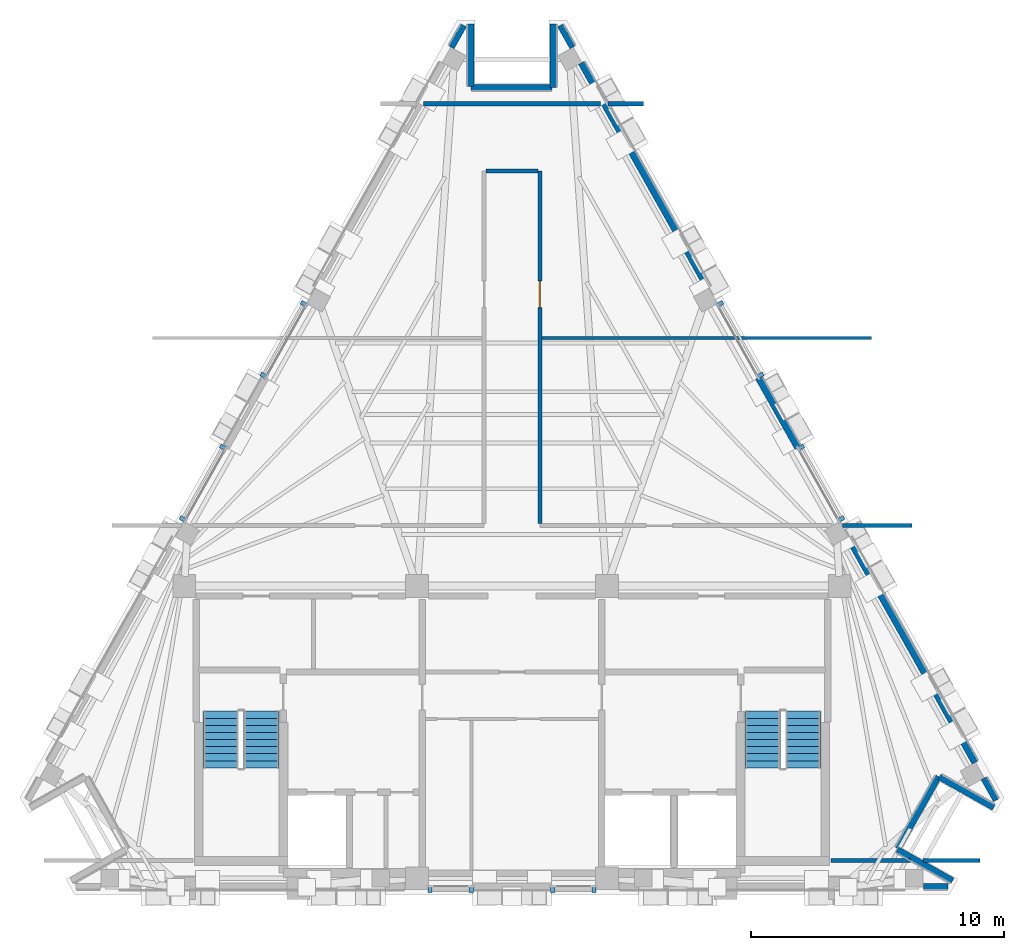
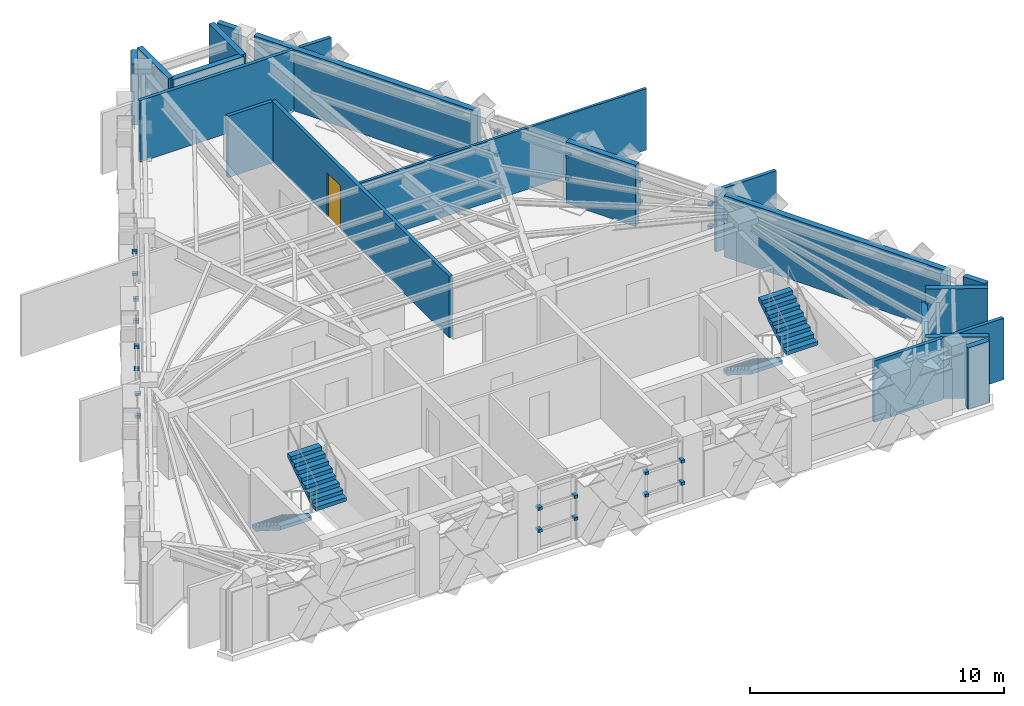
# One storey, part 6 of 8: 24 discrete accessories, 21 walls, 4 stair flights, 1 door, 1 opening, 2 elements without a shape of their own.
"""IFC4 building model written with IfcOpenShell, lengths in metres."""

from ifc_helpers import new_model, si_unit, direction, frame, frame_2d, origin, origin_2d, place, context, subcontext, project, spatial, polyline, rectangle, outline, extrude, material, layer, layer_set, type_object, element, fill, aggregate, save


model = new_model("IFC4")

# Units and contexts
model_context = context("Model", 3, precision=1e-05, world=origin(), true_north=direction((0.0, 1.0)))
body_context = subcontext(model_context, "Body", "Model", "MODEL_VIEW")
ifc_project = project(units=[si_unit("LENGTHUNIT", "METRE"), si_unit("AREAUNIT", "SQUARE_METRE"), si_unit("VOLUMEUNIT", "CUBIC_METRE"), si_unit("PLANEANGLEUNIT", "RADIAN"), si_unit("MASSUNIT", "GRAM", prefix="KILO")], contexts=[model_context])

# Site, building, storey
site_placement = place(None, origin())
site = spatial("IfcSite", under=ifc_project, at=site_placement, CompositionType="ELEMENT")
building_placement = place(site_placement, origin())
building = spatial("IfcBuilding", under=site, at=building_placement, Name="Quenlor Broadcast Tower", CompositionType="ELEMENT")
storey_placement = place(building_placement, frame((0.0, 0.0, 283.699951171875)))
storey = spatial("IfcBuildingStorey", under=building, at=storey_placement, Name="L79", CompositionType="ELEMENT", Elevation=283.699951171875)

# Walls
ifc_material_1 = material(Name="Gypsum Fireboard Partition", Category="other")
ifc_layer_1 = layer(ifc_material_1, 0.159912109375)
ifc_layer_set_1 = layer_set([ifc_layer_1], Name="Fire Rated Shaft and Corridor Partition 160")
wall_type_1 = type_object("IfcWallType", Name="Fire Rated Shaft and Corridor Partition 160", PredefinedType="PARTITIONING", material=ifc_layer_set_1)
wall_1_placement = place(storey_placement, frame((-3.49755859375, 14.25, 0.0), z_axis=(0.0, 0.0, 1.0), x_axis=(1.0, 0.0, 0.0)))
element("IfcWall", 1, at=wall_1_placement, inside=storey, type_object=wall_type_1, Name="L79 Interior Wall PW-PL-NTOPS2", PredefinedType="PARTITIONING", context=body_context, shape_type="SweptSolid", body=[
    extrude(rectangle(XDim=6.9951171875, YDim=0.159912109375, at=frame_2d((3.49755859375, 0.0))), origin(), (0.0, 0.0, 1.0), 2.949951171875),
])
wall_2_placement = place(storey_placement, frame((3.80029296875, 14.25, 0.0), z_axis=(0.0, 0.0, 1.0), x_axis=(1.0, 0.0, 0.0)))
element("IfcWall", 2, at=wall_2_placement, inside=storey, type_object=wall_type_1, Name="L79 Interior Wall PW-PL-NTOPS3", PredefinedType="PARTITIONING", context=body_context, shape_type="SweptSolid", body=[
    extrude(rectangle(XDim=1.399658203125, YDim=0.159912109375, at=frame_2d((0.69970703125, 0.0))), origin(), (0.0, 0.0, 1.0), 2.949951171875),
])
wall_3_placement = place(storey_placement, frame((12.60009765625, -15.64990234375, 0.0), z_axis=(0.0, 0.0, 1.0), x_axis=(1.0, 0.0, 0.0)))
element("IfcWall", 3, at=wall_3_placement, inside=storey, type_object=wall_type_1, Name="L79 Interior Wall PW-PL-SBOTE", PredefinedType="PARTITIONING", context=body_context, shape_type="SweptSolid", body=[
    extrude(rectangle(XDim=3.142822265625, YDim=0.159912109375, at=frame_2d((1.5712890625, 0.0))), origin(), (0.0, 0.0, 1.0), 2.949951171875),
])
wall_4_placement = place(storey_placement, frame((16.240478515625, -15.64990234375, 0.0), z_axis=(0.0, 0.0, 1.0), x_axis=(1.0, 0.0, 0.0)))
element("IfcWall", 4, at=wall_4_placement, inside=storey, type_object=wall_type_1, Name="L79 Interior Wall PW-PL-SBOTES2", PredefinedType="PARTITIONING", context=body_context, shape_type="SweptSolid", body=[
    extrude(rectangle(XDim=2.259521484375, YDim=0.159912109375, at=frame_2d((1.1298828125, 0.0))), origin(), (0.0, 0.0, 1.0), 2.949951171875),
])
wall_5_placement = place(storey_placement, frame((13.056884765625, -2.419921875, 0.0), z_axis=(0.0, 0.0, 1.0), x_axis=(1.0, 0.0, 0.0)))
element("IfcWall", 5, at=wall_5_placement, inside=storey, type_object=wall_type_1, Name="L79 Interior Wall PW-PL-HES2", PredefinedType="PARTITIONING", context=body_context, shape_type="SweptSolid", body=[
    extrude(rectangle(XDim=2.7431640625, YDim=0.159912109375, at=frame_2d((1.37158203125, 0.0))), origin(), (0.0, 0.0, 1.0), 2.949951171875),
])

# Wall, opening, door
wall_6_placement = place(storey_placement, frame((1.10009765625, -2.337890625, 0.0), z_axis=(0.0, 0.0, 1.0), x_axis=(0.0, 1.0, 0.0)))
wall_6 = element("IfcWall", 6, at=wall_6_placement, inside=storey, type_object=wall_type_1, Name="L79 Interior Wall PW-PL-SE", PredefinedType="PARTITIONING", context=body_context, shape_type="SweptSolid", body=[
    extrude(rectangle(XDim=13.93798828125, YDim=0.159912109375, at=frame_2d((6.968994140625, 0.0))), origin(), (0.0, 0.0, 1.0), 2.949951171875),
])
opening_placement = place(wall_6_placement, frame((8.5380859375, 0.0, 0.0)))
opening = element("IfcOpeningElement", 7, at=opening_placement, cuts=wall_6, Name="Opening FD-3", PredefinedType="OPENING", context=body_context, shape_type="SweptSolid", body=[
    extrude(rectangle(XDim=1.050048828125, YDim=2.1201171875, at=frame_2d((0.52490234375, 1.06005859375))), frame((0.0, 0.08984375, 0.0), z_axis=(0.0, -1.0, 0.0), x_axis=(1.0, 0.0, 0.0)), (0.0, 0.0, 1.0), 0.179931640625),
])
ifc_material_2 = material(Name="Galvanised Fire Steel Leaf", Category="steel")
door_type = type_object("IfcDoorType", Name="Plant Room Fire Rated Door 1050x2120", OperationType="NOTDEFINED", PredefinedType="DOOR", material=ifc_material_2)
door_placement = place(opening_placement, origin())
door = element("IfcDoor", 8, at=door_placement, inside=storey, type_object=door_type, Name="L79 Door DR-PLT4", OperationType="SINGLE_SWING_RIGHT", OverallHeight=2.1201171875, OverallWidth=1.050048828125, PredefinedType="DOOR", context=body_context, shape_type="SweptSolid", body=[
    extrude(rectangle(XDim=1.050048828125, YDim=2.1201171875, at=frame_2d((0.52490234375, 1.06005859375))), frame((0.0, 0.02490234375, 0.0), z_axis=(0.0, -1.0, 0.0), x_axis=(1.0, 0.0, 0.0)), (0.0, 0.0, 1.0), 0.050048828125),
])
fill(opening, door)

# Walls
wall_7_placement = place(storey_placement, frame((-1.01806640625, 11.60009765625, 0.0), z_axis=(0.0, 0.0, 1.0), x_axis=(1.0, 0.0, 0.0)))
element("IfcWall", 9, at=wall_7_placement, inside=storey, type_object=wall_type_1, Name="L79 Interior Wall PW-PL-N", PredefinedType="PARTITIONING", context=body_context, shape_type="SweptSolid", body=[
    extrude(rectangle(XDim=2.0361328125, YDim=0.159912109375, at=frame_2d((1.01806640625, 0.0))), origin(), (0.0, 0.0, 1.0), 2.949951171875),
])
ifc_material_3 = material(Name="Gypsum Plasterboard Partition", Category="other")
ifc_layer_2 = layer(ifc_material_3, 0.1201171875)
ifc_layer_set_2 = layer_set([ifc_layer_2], Name="Standard Office Partition 120")
wall_type_2 = type_object("IfcWallType", Name="Standard Office Partition 120", PredefinedType="PARTITIONING", material=ifc_layer_set_2)
wall_8_placement = place(storey_placement, frame((1.181884765625, 5.0, 0.0), z_axis=(0.0, 0.0, 1.0), x_axis=(1.0, 0.0, 0.0)))
element("IfcWall", 10, at=wall_8_placement, inside=storey, type_object=wall_type_2, Name="L79 Interior Wall PW-PL-YE", PredefinedType="PARTITIONING", context=body_context, shape_type="SweptSolid", body=[
    extrude(rectangle(XDim=13.01806640625, YDim=0.1201171875, at=frame_2d((6.509033203125, 0.0))), origin(), (0.0, 0.0, 1.0), 2.949951171875),
])
ifc_material_4 = material(Name="Precast concrete C40/50", Category="concrete")
ifc_layer_3 = layer(ifc_material_4, 0.239990234375)
ifc_layer_set_3 = layer_set([ifc_layer_3], Name="Terrace Threshold Precast Concrete C40/50 Wall 240")
wall_type_3 = type_object("IfcWallType", Name="Terrace Threshold Precast Concrete C40/50 Wall 240", PredefinedType="STANDARD", material=ifc_layer_set_3)
wall_9_placement = place(storey_placement, frame((17.219970703125, -16.675048828125, 0.0), z_axis=(0.0, 0.0, 1.0), x_axis=(-1.0, 0.0, 0.0)))
element("IfcWall", 11, at=wall_9_placement, inside=storey, type_object=wall_type_3, Name="L79 Exterior Wall L79-SHD-SS0", PredefinedType="STANDARD", context=body_context, shape_type="SweptSolid", body=[
    extrude(rectangle(XDim=0.96728515625, YDim=0.239990234375, at=frame_2d((0.483642578125, 0.0))), origin(), (0.0, 0.0, 1.0), 2.949951171875),
])
for number, where, z_axis, x_axis, name in (
    (12, (1.906005859375, 17.348388671875, 0.0), (0.0, 0.0, 1.0), (0.490261239633, -0.871575537125, 0.0), "L79 Exterior Wall L79-SHD-NES0"),
    (13, (18.639404296875, -12.39990234375, 0.0), (0.0, 0.0, 1.0), (0.490261239633, -0.871575537125, 0.0), "L79 Exterior Wall L79-SHD-NES1"),
    (14, (-2.393798828125, 16.481201171875, 0.0), (0.0, 0.0, 1.0), (0.490261239633, 0.871575537125, 0.0), "L79 Exterior Wall L79-SHD-NWS1"),
):
    element("IfcWall", number, at=place(storey_placement, frame(where, z_axis=z_axis, x_axis=x_axis)), inside=storey, type_object=wall_type_3, Name=name, PredefinedType="STANDARD", context=body_context, shape_type="SweptSolid", body=[
        extrude(rectangle(XDim=0.994873046875, YDim=0.239990234375, at=frame_2d((0.49755859375, 0.0))), origin(), (0.0, 0.0, 1.0), 2.949951171875),
    ])
wall_10_placement = place(storey_placement, frame((17.40771484375, -16.446533203125, 0.0), z_axis=(0.0, 0.0, 1.0), x_axis=(-0.871588577066, 0.490238056792, 0.0)))
element("IfcWall", 15, at=wall_10_placement, inside=storey, type_object=wall_type_3, Name="L79 Exterior Wall L79-CNR-01", PredefinedType="STANDARD", context=body_context, shape_type="SweptSolid", body=[
    extrude(rectangle(XDim=2.5, YDim=0.239990234375, at=frame_2d((1.25, 0.0))), origin(), (0.0, 0.0, 1.0), 2.949951171875),
])
wall_11_placement = place(storey_placement, frame((15.248291015625, -15.18603515625, 0.0), z_axis=(0.0, 0.0, 1.0), x_axis=(0.490293083368, 0.871557624258, 0.0)))
element("IfcWall", 16, at=wall_11_placement, inside=storey, type_object=wall_type_3, Name="L79 Exterior Wall L79-CNR-02", PredefinedType="STANDARD", context=body_context, shape_type="SweptSolid", body=[
    extrude(rectangle(XDim=3.276123046875, YDim=0.239990234375, at=frame_2d((1.63818359375, 0.0))), origin(), (0.0, 0.0, 1.0), 2.234130859375),
])
wall_12_placement = place(storey_placement, frame((16.889404296875, -12.350341796875, 0.0), z_axis=(0.0, 0.0, 1.0), x_axis=(0.87157023615, -0.490270663468, 0.0)))
element("IfcWall", 17, at=wall_12_placement, inside=storey, type_object=wall_type_3, Name="L79 Exterior Wall L79-CNR-03", PredefinedType="STANDARD", context=body_context, shape_type="SweptSolid", body=[
    extrude(rectangle(XDim=2.4599609375, YDim=0.239990234375, at=frame_2d((1.22998046875, 0.0))), origin(), (0.0, 0.0, 1.0), 2.949951171875),
])
wall_13_placement = place(storey_placement, frame((1.62890625, 17.39990234375, 0.0), z_axis=(0.0, 0.0, 1.0), x_axis=(0.0, -1.0, 0.0)))
element("IfcWall", 18, at=wall_13_placement, inside=storey, type_object=wall_type_3, Name="L79 Exterior Wall L79-CNR-07", PredefinedType="STANDARD", context=body_context, shape_type="SweptSolid", body=[
    extrude(rectangle(XDim=2.5, YDim=0.239990234375, at=frame_2d((1.25, 0.0))), origin(), (0.0, 0.0, 1.0), 2.949951171875),
])
wall_14_placement = place(storey_placement, frame((1.5888671875, 14.89990234375, 0.0), z_axis=(0.0, 0.0, 1.0), x_axis=(-1.0, 0.0, 0.0)))
element("IfcWall", 19, at=wall_14_placement, inside=storey, type_object=wall_type_3, Name="L79 Exterior Wall L79-CNR-08", PredefinedType="STANDARD", context=body_context, shape_type="SweptSolid", body=[
    extrude(rectangle(XDim=3.2177734375, YDim=0.239990234375, at=frame_2d((1.60888671875, 0.0))), origin(), (0.0, 0.0, 1.0), 2.949951171875),
])
wall_15_placement = place(storey_placement, frame((-1.62890625, 14.93994140625, 0.0), z_axis=(0.0, 0.0, 1.0), x_axis=(0.0, 1.0, 0.0)))
element("IfcWall", 20, at=wall_15_placement, inside=storey, type_object=wall_type_3, Name="L79 Exterior Wall L79-CNR-09", PredefinedType="STANDARD", context=body_context, shape_type="SweptSolid", body=[
    extrude(rectangle(XDim=2.4599609375, YDim=0.239990234375, at=frame_2d((1.22998046875, 0.0))), origin(), (0.0, 0.0, 1.0), 2.949951171875),
])
ifc_material_5 = material(Name="Precast concrete C40/50", Category="concrete")
ifc_layer_4 = layer(ifc_material_5, 0.260009765625)
ifc_layer_set_4 = layer_set([ifc_layer_4], Name="Terracotta Precast Concrete C40/50 Upper Wall 260")
wall_type_4 = type_object("IfcWallType", Name="Terracotta Precast Concrete C40/50 Upper Wall 260", PredefinedType="STANDARD", material=ifc_layer_set_4)
wall_16_placement = place(storey_placement, frame((2.741943359375, 15.862548828125, 0.0), z_axis=(0.0, 0.0, 1.0), x_axis=(0.490260105081, -0.871576175309, 0.0)))
element("IfcWall", 21, at=wall_16_placement, inside=storey, type_object=wall_type_4, Name="L79 Exterior Wall L79-EW-NEA", PredefinedType="STANDARD", context=body_context, shape_type="SweptSolid", body=[
    extrude(rectangle(XDim=10.216552734375, YDim=0.260009765625, at=frame_2d((5.1083984375, 0.0))), origin(), (0.0, 0.0, 1.0), 2.949951171875),
])
wall_17_placement = place(storey_placement, frame((13.28271484375, -2.876708984375, 0.0), z_axis=(0.0, 0.0, 1.0), x_axis=(0.490270316201, -0.871570431492, 0.0)))
element("IfcWall", 22, at=wall_17_placement, inside=storey, type_object=wall_type_4, Name="L79 Exterior Wall L79-EW-NEC", PredefinedType="STANDARD", context=body_context, shape_type="SweptSolid", body=[
    extrude(rectangle(XDim=10.21630859375, YDim=0.260009765625, at=frame_2d((5.108154296875, 0.0))), origin(), (0.0, 0.0, 1.0), 2.949951171875),
])
wall_18_placement = place(storey_placement, frame((9.737060546875, 3.4267578125, 0.0), z_axis=(0.0, 0.0, 1.0), x_axis=(0.490283106586, -0.871563236602, 0.0)))
element("IfcWall", 23, at=wall_18_placement, inside=storey, type_object=wall_type_4, Name="L79 Exterior Wall L79-NE-SP1", PredefinedType="STANDARD", context=body_context, shape_type="SweptSolid", body=[
    extrude(rectangle(XDim=3.180419921875, YDim=0.260009765625, at=frame_2d((1.59033203125, 0.0))), origin(), (0.0, 0.0, 1.0), 2.949951171875),
])

# Stair, stair flights
ifc_material_6 = material(Name="Precast concrete C40/50", Category="concrete")
stair_type = type_object("IfcStairType", Name="Precast Concrete C40/50 Dogleg Stair H320", PredefinedType="HALF_TURN_STAIR", material=ifc_material_6)
stair_1_placement = place(storey_placement, origin())
stair_1 = element("IfcStair", 24, at=stair_1_placement, inside=storey, type_object=stair_type, Name="L79 West Core Fire-Isolated Exit Stair ST-1", PredefinedType="HALF_TURN_STAIR")
ifc_material_7 = material(Name="Precast concrete C40/50", Category="concrete")
ifc_layer_5 = layer(ifc_material_7, 0.14990234375)
ifc_layer_set_5 = layer_set([ifc_layer_5], Name="Precast Concrete C40/50 Stair Flight H320")
stair_flight_type = type_object("IfcStairFlightType", Name="Precast Concrete C40/50 Stair Flight H320", PredefinedType="STRAIGHT", material=ifc_layer_set_5)
stair_flight_1_placement = place(storey_placement, frame((-11.5, -9.75, 0.0), z_axis=(0.0, 0.0, 1.0), x_axis=(0.0, -1.0, 0.0)))
stair_flight_1 = element("IfcStairFlight", 25, at=stair_flight_1_placement, type_object=stair_flight_type, Name="ST-1 flight 1", NumberOfRisers=9, NumberOfTreads=8, PredefinedType="STRAIGHT", RiserHeight=0.177777778, TreadLength=0.28, context=body_context, shape_type="SweptSolid", body=[
    extrude(outline(polyline([(0.0, 0.0), (0.0, 0.177734375), (0.280029296875, 0.177734375), (0.280029296875, 0.35546875), (0.56005859375, 0.35546875), (0.56005859375, 0.533447265625), (0.840087890625, 0.533447265625), (0.840087890625, 0.711181640625), (1.1201171875, 0.711181640625), (1.1201171875, 0.888916015625), (1.39990234375, 0.888916015625), (1.39990234375, 1.066650390625), (1.679931640625, 1.066650390625), (1.679931640625, 1.244384765625), (1.9599609375, 1.244384765625), (1.9599609375, 1.422119140625), (2.239990234375, 1.422119140625), (2.239990234375, 1.60009765625), (2.239990234375, 1.24462890625), (0.27978515625, 0.0), (0.0, 0.0)])), frame((0.0, 0.699951171875, 0.0), z_axis=(0.0, -1.0, 0.0), x_axis=(1.0, 0.0, 0.0)), (0.0, 0.0, 1.0), 1.39990234375),
])
stair_flight_2_placement = place(storey_placement, frame((-9.89990234375, -11.989990234375, 1.60009765625), z_axis=(0.0, 0.0, 1.0), x_axis=(0.0, 1.0, 0.0)))
stair_flight_2 = element("IfcStairFlight", 26, at=stair_flight_2_placement, type_object=stair_flight_type, Name="ST-1 flight 2", NumberOfRisers=9, NumberOfTreads=8, PredefinedType="STRAIGHT", RiserHeight=0.177777778, TreadLength=0.28, context=body_context, shape_type="SweptSolid", body=[
    extrude(outline(polyline([(0.0, 0.0), (0.0, 0.177734375), (0.280029296875, 0.177734375), (0.280029296875, 0.35546875), (0.56005859375, 0.35546875), (0.56005859375, 0.533447265625), (0.840087890625, 0.533447265625), (0.840087890625, 0.711181640625), (1.1201171875, 0.711181640625), (1.1201171875, 0.888916015625), (1.39990234375, 0.888916015625), (1.39990234375, 1.066650390625), (1.679931640625, 1.066650390625), (1.679931640625, 1.244384765625), (1.9599609375, 1.244384765625), (1.9599609375, 1.422119140625), (2.239990234375, 1.422119140625), (2.239990234375, 1.60009765625), (2.239990234375, 1.24462890625), (0.27978515625, 0.0), (0.0, 0.0)])), frame((0.0, 0.699951171875, 0.0), z_axis=(0.0, -1.0, 0.0), x_axis=(1.0, 0.0, 0.0)), (0.0, 0.0, 1.0), 1.39990234375),
])
aggregate(stair_1, [stair_flight_1, stair_flight_2])

stair_2_placement = place(storey_placement, origin())
stair_2 = element("IfcStair", 27, at=stair_2_placement, inside=storey, type_object=stair_type, Name="L79 East Core Fire-Isolated Exit Stair ST-2", PredefinedType="HALF_TURN_STAIR")
stair_flight_3_placement = place(storey_placement, frame((9.89990234375, -9.75, 0.0), z_axis=(0.0, 0.0, 1.0), x_axis=(0.0, -1.0, 0.0)))
stair_flight_3 = element("IfcStairFlight", 28, at=stair_flight_3_placement, type_object=stair_flight_type, Name="ST-2 flight 1", NumberOfRisers=9, NumberOfTreads=8, PredefinedType="STRAIGHT", RiserHeight=0.177777778, TreadLength=0.28, context=body_context, shape_type="SweptSolid", body=[
    extrude(outline(polyline([(0.0, 0.0), (0.0, 0.177734375), (0.280029296875, 0.177734375), (0.280029296875, 0.35546875), (0.56005859375, 0.35546875), (0.56005859375, 0.533447265625), (0.840087890625, 0.533447265625), (0.840087890625, 0.711181640625), (1.1201171875, 0.711181640625), (1.1201171875, 0.888916015625), (1.39990234375, 0.888916015625), (1.39990234375, 1.066650390625), (1.679931640625, 1.066650390625), (1.679931640625, 1.244384765625), (1.9599609375, 1.244384765625), (1.9599609375, 1.422119140625), (2.239990234375, 1.422119140625), (2.239990234375, 1.60009765625), (2.239990234375, 1.24462890625), (0.27978515625, 0.0), (0.0, 0.0)])), frame((0.0, 0.699951171875, 0.0), z_axis=(0.0, -1.0, 0.0), x_axis=(1.0, 0.0, 0.0)), (0.0, 0.0, 1.0), 1.39990234375),
])
stair_flight_4_placement = place(storey_placement, frame((11.5, -11.989990234375, 1.60009765625), z_axis=(0.0, 0.0, 1.0), x_axis=(0.0, 1.0, 0.0)))
stair_flight_4 = element("IfcStairFlight", 29, at=stair_flight_4_placement, type_object=stair_flight_type, Name="ST-2 flight 2", NumberOfRisers=9, NumberOfTreads=8, PredefinedType="STRAIGHT", RiserHeight=0.177777778, TreadLength=0.28, context=body_context, shape_type="SweptSolid", body=[
    extrude(outline(polyline([(0.0, 0.0), (0.0, 0.177734375), (0.280029296875, 0.177734375), (0.280029296875, 0.35546875), (0.56005859375, 0.35546875), (0.56005859375, 0.533447265625), (0.840087890625, 0.533447265625), (0.840087890625, 0.711181640625), (1.1201171875, 0.711181640625), (1.1201171875, 0.888916015625), (1.39990234375, 0.888916015625), (1.39990234375, 1.066650390625), (1.679931640625, 1.066650390625), (1.679931640625, 1.244384765625), (1.9599609375, 1.244384765625), (1.9599609375, 1.422119140625), (2.239990234375, 1.422119140625), (2.239990234375, 1.60009765625), (2.239990234375, 1.24462890625), (0.27978515625, 0.0), (0.0, 0.0)])), frame((0.0, 0.699951171875, 0.0), z_axis=(0.0, -1.0, 0.0), x_axis=(1.0, 0.0, 0.0)), (0.0, 0.0, 1.0), 1.39990234375),
])
aggregate(stair_2, [stair_flight_3, stair_flight_4])

# Discrete accessories
ifc_material_8 = material(Name="Aluminium 6063-T6", Category="aluminium")
discrete_accessory_type = type_object("IfcDiscreteAccessoryType", Name="Stainless Mullion Baguette Support Bracket", PredefinedType="BRACKET", material=ifc_material_8)
for number, where, z_axis, x_axis, name in (
    (30, (3.239013671875, -16.794921875, 0.9921875), (0.0, 0.0, 1.0), (-1.0, 0.0, 0.0), "L79 Baguette Mullion Bracket 1.1"),
    (31, (1.610107421875, -16.794921875, 0.9921875), (0.0, 0.0, 1.0), (-1.0, 0.0, 0.0), "L79 Baguette Mullion Bracket 1.2"),
    (32, (3.239013671875, -16.794921875, 2.05419921875), (0.0, 0.0, 1.0), (-1.0, 0.0, 0.0), "L79 Baguette Mullion Bracket 2.1"),
    (33, (1.610107421875, -16.794921875, 2.05419921875), (0.0, 0.0, 1.0), (-1.0, 0.0, 0.0), "L79 Baguette Mullion Bracket 2.2"),
    (34, (-1.610107421875, -16.794921875, 0.9921875), (0.0, 0.0, 1.0), (-1.0, 0.0, 0.0), "L79 Baguette Mullion Bracket 1.1"),
    (35, (-3.239013671875, -16.794921875, 0.9921875), (0.0, 0.0, 1.0), (-1.0, 0.0, 0.0), "L79 Baguette Mullion Bracket 1.2"),
    (36, (-1.610107421875, -16.794921875, 2.05419921875), (0.0, 0.0, 1.0), (-1.0, 0.0, 0.0), "L79 Baguette Mullion Bracket 2.1"),
    (37, (-3.239013671875, -16.794921875, 2.05419921875), (0.0, 0.0, 1.0), (-1.0, 0.0, 0.0), "L79 Baguette Mullion Bracket 2.2"),
    (38, (8.230712890625, 6.349365234375, 0.9921875), (0.0, 0.0, 1.0), (0.490268031063, -0.87157171691, 0.0), "L79 Baguette Mullion Bracket 1.1"),
    (39, (9.821533203125, 3.521240234375, 0.9921875), (0.0, 0.0, 1.0), (0.490268031063, -0.87157171691, 0.0), "L79 Baguette Mullion Bracket 1.2"),
    (40, (8.230712890625, 6.349365234375, 2.05419921875), (0.0, 0.0, 1.0), (0.490268031063, -0.87157171691, 0.0), "L79 Baguette Mullion Bracket 2.1"),
    (41, (9.821533203125, 3.521240234375, 2.05419921875), (0.0, 0.0, 1.0), (0.490268031063, -0.87157171691, 0.0), "L79 Baguette Mullion Bracket 2.2"),
    (42, (11.4208984375, 0.677734375, 0.9921875), (0.0, 0.0, 1.0), (0.490268031063, -0.87157171691, 0.0), "L79 Baguette Mullion Bracket 1.1"),
    (43, (13.01171875, -2.150146484375, 0.9921875), (0.0, 0.0, 1.0), (0.490268031063, -0.87157171691, 0.0), "L79 Baguette Mullion Bracket 1.2"),
    (44, (11.4208984375, 0.677734375, 2.05419921875), (0.0, 0.0, 1.0), (0.490268031063, -0.87157171691, 0.0), "L79 Baguette Mullion Bracket 2.1"),
    (45, (13.01171875, -2.150146484375, 2.05419921875), (0.0, 0.0, 1.0), (0.490268031063, -0.87157171691, 0.0), "L79 Baguette Mullion Bracket 2.2"),
    (46, (-13.01171875, -2.150146484375, 0.9921875), (0.0, 0.0, 1.0), (0.490268031063, 0.87157171691, 0.0), "L79 Baguette Mullion Bracket 1.1"),
    (47, (-11.4208984375, 0.677734375, 0.9921875), (0.0, 0.0, 1.0), (0.490268031063, 0.87157171691, 0.0), "L79 Baguette Mullion Bracket 1.2"),
    (48, (-13.01171875, -2.150146484375, 2.05419921875), (0.0, 0.0, 1.0), (0.490268031063, 0.87157171691, 0.0), "L79 Baguette Mullion Bracket 2.1"),
    (49, (-11.4208984375, 0.677734375, 2.05419921875), (0.0, 0.0, 1.0), (0.490268031063, 0.87157171691, 0.0), "L79 Baguette Mullion Bracket 2.2"),
    (50, (-9.821533203125, 3.521240234375, 0.9921875), (0.0, 0.0, 1.0), (0.490268031063, 0.87157171691, 0.0), "L79 Baguette Mullion Bracket 1.1"),
    (51, (-8.230712890625, 6.349365234375, 0.9921875), (0.0, 0.0, 1.0), (0.490268031063, 0.87157171691, 0.0), "L79 Baguette Mullion Bracket 1.2"),
    (52, (-9.821533203125, 3.521240234375, 2.05419921875), (0.0, 0.0, 1.0), (0.490268031063, 0.87157171691, 0.0), "L79 Baguette Mullion Bracket 2.1"),
    (53, (-8.230712890625, 6.349365234375, 2.05419921875), (0.0, 0.0, 1.0), (0.490268031063, 0.87157171691, 0.0), "L79 Baguette Mullion Bracket 2.2"),
):
    element("IfcDiscreteAccessory", number, at=place(storey_placement, frame(where, z_axis=z_axis, x_axis=x_axis)), inside=storey, type_object=discrete_accessory_type, Name=name, PredefinedType="BRACKET", context=body_context, shape_type="SweptSolid", body=[
        extrude(rectangle(XDim=0.159912109375, YDim=0.239990234375, at=origin_2d()), origin(), (0.0, 0.0, 1.0), 0.139892578125),
    ])

save(model, "model.ifc")
